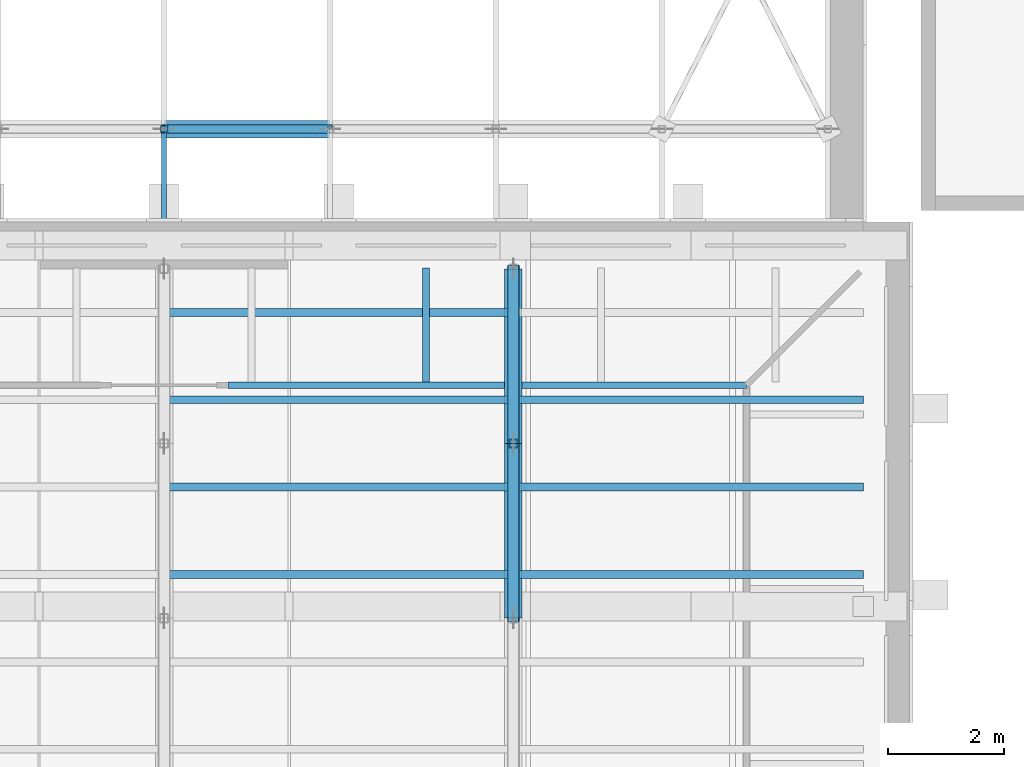
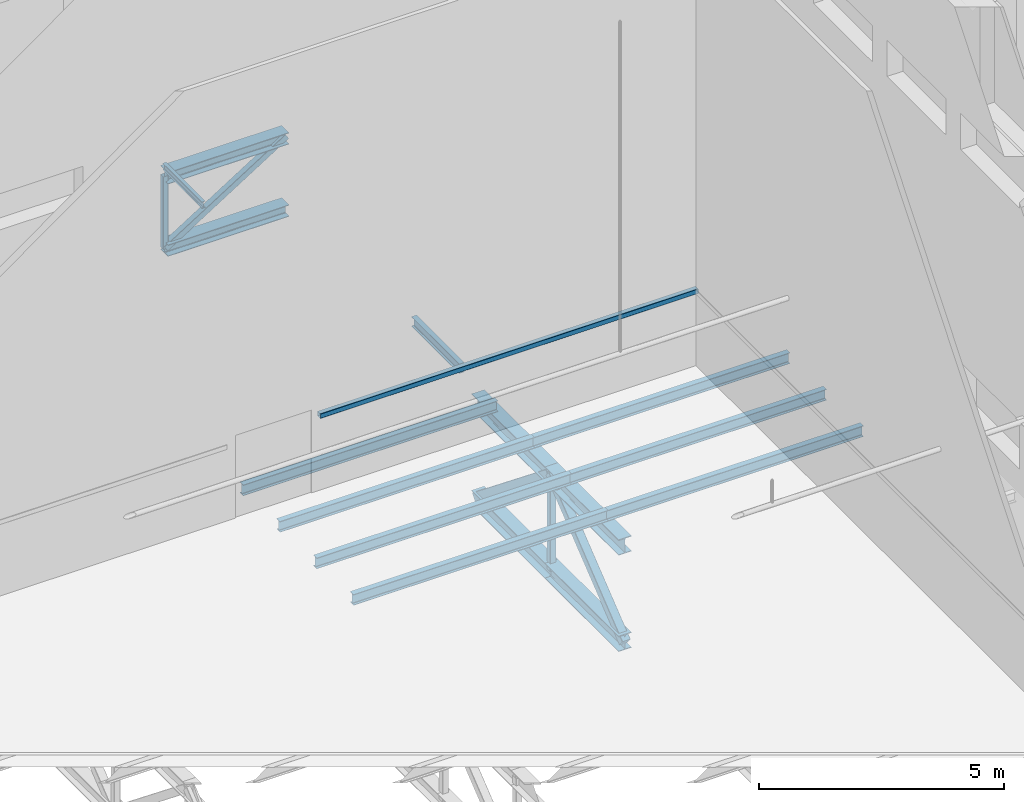
# One storey, part 35 of 55: 14 members, 7 beams.
"""IFC4 building model written with IfcOpenShell, lengths in metres."""

import ifcopenshell
import ifcopenshell.guid

model = None  # the IFC model being written
_history = None  # IfcOwnerHistory: only IFC2X3 demands one
_inside = {}  # id of a spatial element -> (the spatial element, [elements in it])
_under = {}  # id of a project, library or spatial element -> (it, [spatial elements below it])
_declared = {}  # id of a project -> (the project, [libraries it declares])
_typed = {}  # id of a type object -> (the type object, [elements of that type])
_made_of = {}  # id of a material, layer set ... -> (it, [elements and type objects made of it])


def new_model(schema):
    """Start an empty IFC model of exactly this schema.

    Asked for "IFC4X3", IfcOpenShell would pick the latest addendum, in which some entities
    have other attributes; the version numbers below select the first issue.
    IFC2X3 requires an IfcOwnerHistory on every rooted entity: one is made here for all.
    """
    global model, _history
    if schema == "IFC4X3":
        model = ifcopenshell.file(schema_version=(4, 3, 0, 0))
    else:
        model = ifcopenshell.file(schema=schema)
    _inside.clear()
    _under.clear()
    _declared.clear()
    _typed.clear()
    _made_of.clear()
    _history = None
    if model.schema == "IFC2X3":
        org = make("IfcOrganization", Name="unknown")
        user = make(
            "IfcPersonAndOrganization",
            ThePerson=make("IfcPerson", FamilyName="unknown"),
            TheOrganization=org,
        )
        app = make(
            "IfcApplication",
            ApplicationDeveloper=org,
            Version="unknown",
            ApplicationFullName="unknown",
            ApplicationIdentifier="unknown",
        )
        _history = make(
            "IfcOwnerHistory",
            OwningUser=user,
            OwningApplication=app,
            ChangeAction="ADDED",
            CreationDate=0,
        )
    return model


def make(cls, **values):
    """One entity of the class cls with the attributes given. An attribute that is None is left unset."""
    return model.create_entity(
        cls, **{name: value for name, value in values.items() if value is not None}
    )


def rooted(cls, **values):
    """An entity with a GlobalId (a new one), such as an element, a storey or a relation."""
    return make(cls, GlobalId=ifcopenshell.guid.new(), OwnerHistory=_history, **values)


def si_unit(unit_type, name, prefix=None):
    """IfcSIUnit, for example si_unit("LENGTHUNIT", "METRE", prefix="MILLI")."""
    return make("IfcSIUnit", UnitType=unit_type, Prefix=prefix, Name=name)


def assignment(units):
    """IfcUnitAssignment: the units of a project."""
    return None if units is None else make("IfcUnitAssignment", Units=units)


def point(xyz):
    """IfcCartesianPoint."""
    return None if xyz is None else make("IfcCartesianPoint", Coordinates=xyz)


def direction(xyz):
    """IfcDirection."""
    return None if xyz is None else make("IfcDirection", DirectionRatios=xyz)


def frame(location, z_axis=None, x_axis=None):
    """IfcAxis2Placement3D, a coordinate frame: its origin and axes. An axis left out is left unset."""
    return make(
        "IfcAxis2Placement3D",
        Location=point(location),
        Axis=direction(z_axis),
        RefDirection=direction(x_axis),
    )


def frame_2d(location, x_axis=None):
    """IfcAxis2Placement2D, a coordinate frame in the plane: its origin and x axis."""
    return make(
        "IfcAxis2Placement2D", Location=point(location), RefDirection=direction(x_axis)
    )


def origin():
    """The frame at (0, 0, 0) with its axes left unset."""
    return frame((0.0, 0.0, 0.0))


def origin_2d():
    """The frame at (0, 0) in the plane with its x axis left unset."""
    return frame_2d((0.0, 0.0))


def place(relative_to, where):
    """IfcLocalPlacement: puts the frame where relative to a parent placement (None: the world)."""
    return make(
        "IfcLocalPlacement", PlacementRelTo=relative_to, RelativePlacement=where
    )


def context(
    kind, dimensions, precision=None, world=None, true_north=None, identifier=None
):
    """IfcGeometricRepresentationContext, for example the 3D "Model" context."""
    return make(
        "IfcGeometricRepresentationContext",
        ContextIdentifier=identifier,
        ContextType=kind,
        CoordinateSpaceDimension=dimensions,
        Precision=precision,
        WorldCoordinateSystem=world,
        TrueNorth=true_north,
    )


def subcontext(parent, identifier, kind, view, scale=None):
    """IfcGeometricRepresentationSubContext, for example "Body" below "Model"."""
    return make(
        "IfcGeometricRepresentationSubContext",
        ContextIdentifier=identifier,
        ContextType=kind,
        ParentContext=parent,
        TargetScale=scale,
        TargetView=view,
    )


def project(units=None, contexts=None):
    """IfcProject with its units and contexts."""
    return rooted(
        "IfcProject",
        Name="project",
        RepresentationContexts=contexts,
        UnitsInContext=assignment(units),
    )


def spatial(cls, under=None, at=None, **own):
    """A site, building, storey or space (cls), placed at a placement, below another one or the project."""
    s = rooted(cls, ObjectPlacement=at, **own)
    if under is not None:
        _under.setdefault(under.id(), (under, []))[1].append(s)
    return s


def profile(cls, at=None, kind="AREA", **sizes):
    """A parametric profile (cls). Its sizes go by their IFC names, for example OverallWidth=200.0."""
    return make(cls, ProfileType=kind, Position=at, **sizes)


def hollow_rectangle(**sizes):
    """IfcRectangleHollowProfileDef."""
    return profile("IfcRectangleHollowProfileDef", **sizes)


def i_section(**sizes):
    """IfcIShapeProfileDef."""
    return profile("IfcIShapeProfileDef", **sizes)


def extrude(swept, where, along, depth):
    """IfcExtrudedAreaSolid: the profile swept, set in the frame where, extruded along a direction by depth."""
    return make(
        "IfcExtrudedAreaSolid",
        SweptArea=swept,
        Position=where,
        ExtrudedDirection=direction(along),
        Depth=depth,
    )


def shape(context_of_items, identifier, shape_type, items):
    """IfcShapeRepresentation: the items that make up one representation, for example the "Body"."""
    return make(
        "IfcShapeRepresentation",
        ContextOfItems=context_of_items,
        RepresentationIdentifier=identifier,
        RepresentationType=shape_type,
        Items=items,
    )


def material(Name=None, Category=None):
    """IfcMaterial."""
    return make("IfcMaterial", Name=Name, Category=Category)


def material_profile(
    of_material, cross_section, Name=None, Category=None, Priority=None
):
    """IfcMaterialProfile: a cross section and its material."""
    return make(
        "IfcMaterialProfile",
        Name=Name,
        Material=of_material,
        Profile=cross_section,
        Priority=Priority,
        Category=Category,
    )


def profile_set(profiles, Name=None, composite=None):
    """IfcMaterialProfileSet."""
    return make(
        "IfcMaterialProfileSet",
        Name=Name,
        MaterialProfiles=profiles,
        CompositeProfile=composite,
    )


def made_of(thing, what):
    """Note that an element or type object is made of a material, layer set ...; save() writes the relation."""
    if what is not None:
        _made_of.setdefault(what.id(), (what, []))[1].append(thing)
    return thing


def type_object(cls, material=None, **own):
    """A type object (cls), such as IfcWallType, which elements share."""
    return made_of(rooted(cls, **own), material)


def element(
    cls,
    number,
    at=None,
    inside=None,
    cuts=None,
    type_object=None,
    material=None,
    context=None,
    identifier="Body",
    shape_type=None,
    held_by="IfcProductDefinitionShape",
    body=None,
    shapes=None,
    **own,
):
    """One element of the class cls, such as IfcWall. Its Tag is "e" and its number.

    at: its placement. inside: the storey or other place that contains it. cuts: it is an
    opening in that element (IfcRelVoidsElement). A single representation is given by context,
    identifier, shape_type and body (its items); several are given by shapes. held_by: the class
    of the entity that holds the representations. save() writes the other relations.
    """
    e = rooted(cls, Tag="e%d" % number, ObjectPlacement=at, **own)
    if body is not None:
        shapes = [shape(context, identifier, shape_type, body)]
    if shapes is not None:
        e.Representation = make(held_by, Representations=shapes)
    if inside is not None:
        _inside.setdefault(inside.id(), (inside, []))[1].append(e)
    if cuts is not None:
        rooted(
            "IfcRelVoidsElement", RelatingBuildingElement=cuts, RelatedOpeningElement=e
        )
    if type_object is not None:
        _typed.setdefault(type_object.id(), (type_object, []))[1].append(e)
    return made_of(e, material)


def aggregate(whole, parts):
    """IfcRelAggregates: a whole, such as a stair, and the parts it consists of."""
    return rooted("IfcRelAggregates", RelatingObject=whole, RelatedObjects=parts)


def save(model, path):
    """Write the relations noted so far, then the file.

    IfcRelAggregates (storeys below a building ...), IfcRelContainedInSpatialStructure (elements
    in a storey), IfcRelDefinesByType, IfcRelAssociatesMaterial and IfcRelDeclares: one each for
    every whole, place, type object, material and project.
    """
    for whole, parts in _under.values():
        aggregate(whole, parts)
    for where, things in _inside.values():
        rooted(
            "IfcRelContainedInSpatialStructure",
            RelatedElements=things,
            RelatingStructure=where,
        )
    for kind, things in _typed.values():
        rooted("IfcRelDefinesByType", RelatedObjects=things, RelatingType=kind)
    for what, things in _made_of.values():
        rooted("IfcRelAssociatesMaterial", RelatedObjects=things, RelatingMaterial=what)
    for by, libraries in _declared.values():
        rooted("IfcRelDeclares", RelatingContext=by, RelatedDefinitions=libraries)
    model.write(path)


model = new_model("IFC4")

# Units and contexts
model_context = context("Model", 3, precision=1e-05, world=origin(), true_north=direction((0.0, 1.0)))
body_context = subcontext(model_context, "Body", "Model", "MODEL_VIEW")
ifc_project = project(units=[si_unit("LENGTHUNIT", "METRE"), si_unit("AREAUNIT", "SQUARE_METRE"), si_unit("VOLUMEUNIT", "CUBIC_METRE"), si_unit("PLANEANGLEUNIT", "RADIAN"), si_unit("MASSUNIT", "GRAM", prefix="KILO")], contexts=[model_context])

# Site, building, storey
site_placement = place(None, origin())
site = spatial("IfcSite", under=ifc_project, at=site_placement, CompositionType="ELEMENT")
building_placement = place(site_placement, origin())
building = spatial("IfcBuilding", under=site, at=building_placement, Name="Lunette Opera House", CompositionType="ELEMENT")
storey_placement = place(building_placement, frame((0.0, 0.0, 34.0)))
storey = spatial("IfcBuildingStorey", under=building, at=storey_placement, Name="L06", CompositionType="ELEMENT", Elevation=34.0)

# Members
ifc_material_1 = material(Name="Steel S355", Category="steel")
ifc_material_profile_1 = material_profile(ifc_material_1, i_section(OverallWidth=0.1201171875, OverallDepth=0.239990234375, WebThickness=0.006103515625, FlangeThickness=0.009765625, FilletRadius=0.014892578125, at=origin_2d()), Name="IPE 240")
ifc_profile_set_1 = profile_set([ifc_material_profile_1], Name="Steel S355")
member_type_1 = type_object("IfcMemberType", Name="BRACKET IPE 240", PredefinedType="MEMBER", material=ifc_profile_set_1)
member_1_placement = place(storey_placement, frame((100.5, 120.010009765625, 1.820068359375), z_axis=(0.0, -1.0, 0.0), x_axis=(1.0, 0.0, 0.0)))
element("IfcMember", 1, at=member_1_placement, inside=storey, type_object=member_type_1, Name="mem-ST-L06-LOFT-BKN1005-1200", PredefinedType="MEMBER", context=body_context, shape_type="SweptSolid", body=[
    extrude(i_section(OverallWidth=0.1201171875, OverallDepth=0.239990234375, WebThickness=0.006103515625, FlangeThickness=0.009765625, FilletRadius=0.014892578125, at=origin_2d()), origin(), (0.0, 0.0, 1.0), 1.949951171875),
])
ifc_material_2 = material(Name="Steel S355", Category="steel")
ifc_material_profile_2 = material_profile(ifc_material_2, i_section(OverallWidth=0.300048828125, OverallDepth=0.2900390625, WebThickness=0.008544921875, FlangeThickness=0.013916015625, FilletRadius=0.027099609375, at=origin_2d()), Name="HEA 300")
ifc_profile_set_2 = profile_set([ifc_material_profile_2], Name="Steel S355")
member_type_2 = type_object("IfcMemberType", Name="CHORD HEA 300", PredefinedType="CHORD", material=ifc_profile_set_2)
for number, where, z_axis, x_axis, name in (
    (2, (96.0, 122.39990234375, 5.574951171875), (1.0, 0.0, 0.0), (0.0, 1.0, 0.0), "mem-ST-L06-SR-TR01-TC5"),
    (3, (96.0, 122.39990234375, 3.77490234375), (1.0, 0.0, 0.0), (0.0, 1.0, 0.0), "mem-ST-L06-SR-TR01-BC5"),
):
    element("IfcMember", number, at=place(storey_placement, frame(where, z_axis=z_axis, x_axis=x_axis)), inside=storey, type_object=member_type_2, Name=name, PredefinedType="CHORD", context=body_context, shape_type="SweptSolid", body=[
        extrude(i_section(OverallWidth=0.300048828125, OverallDepth=0.2900390625, WebThickness=0.008544921875, FlangeThickness=0.013916015625, FilletRadius=0.027099609375, at=origin_2d()), origin(), (0.0, 0.0, 1.0), 2.85009765625),
    ])
ifc_material_3 = material(Name="Steel S355", Category="steel")
ifc_material_profile_3 = material_profile(ifc_material_3, i_section(OverallWidth=0.300048828125, OverallDepth=0.389892578125, WebThickness=0.010986328125, FlangeThickness=0.01904296875, FilletRadius=0.027099609375, at=origin_2d()), Name="HEA 400")
ifc_profile_set_3 = profile_set([ifc_material_profile_3], Name="Steel S355")
member_type_3 = type_object("IfcMemberType", Name="CHORD HEA 400", PredefinedType="CHORD", material=ifc_profile_set_3)
for number, where, z_axis, x_axis, name in (
    (4, (102.0, 114.0, -0.6650390625), (0.0, 1.0, 0.0), (-1.0, 0.0, 0.0), "mem-ST-L06-ST-TR03-TC7"),
    (5, (102.0, 114.0, -3.06494140625), (0.0, 1.0, 0.0), (-1.0, 0.0, 0.0), "mem-ST-L06-ST-TR03-BC7"),
    (6, (102.0, 117.0, -0.6650390625), (0.0, 1.0, 0.0), (-1.0, 0.0, 0.0), "mem-ST-L06-ST-TR03-TC8"),
    (7, (102.0, 117.0, -3.06494140625), (0.0, 1.0, 0.0), (-1.0, 0.0, 0.0), "mem-ST-L06-ST-TR03-BC8"),
):
    element("IfcMember", number, at=place(storey_placement, frame(where, z_axis=z_axis, x_axis=x_axis)), inside=storey, type_object=member_type_3, Name=name, PredefinedType="CHORD", context=body_context, shape_type="SweptSolid", body=[
        extrude(i_section(OverallWidth=0.300048828125, OverallDepth=0.389892578125, WebThickness=0.010986328125, FlangeThickness=0.01904296875, FilletRadius=0.027099609375, at=origin_2d()), origin(), (0.0, 0.0, 1.0), 3.0),
    ])
ifc_material_4 = material(Name="Steel S355", Category="steel")
ifc_material_profile_4 = material_profile(ifc_material_4, hollow_rectangle(XDim=0.14990234375, YDim=0.14990234375, WallThickness=0.006103515625, InnerFilletRadius=0.006103515625, OuterFilletRadius=0.011962890625, at=origin_2d()), Name="RHS 150X150X6")
ifc_profile_set_4 = profile_set([ifc_material_profile_4], Name="Steel S355")
member_type_4 = type_object("IfcMemberType", Name="DIAGONAL RHS 150X150X6", PredefinedType="BRACE", material=ifc_profile_set_4)
member_2_placement = place(storey_placement, frame((96.0, 122.39990234375, 3.77490234375), z_axis=(0.845490624019, 0.0, 0.53399026648), x_axis=(0.0, 1.0, 0.0)))
element("IfcMember", 8, at=member_2_placement, inside=storey, type_object=member_type_4, Name="mem-ST-L06-SR-TR01-TD5", PredefinedType="BRACE", context=body_context, shape_type="SweptSolid", body=[
    extrude(hollow_rectangle(XDim=0.14990234375, YDim=0.14990234375, WallThickness=0.006103515625, InnerFilletRadius=0.006103515625, OuterFilletRadius=0.011962890625, at=origin_2d()), origin(), (0.0, 0.0, 1.0), 3.370849609375),
])
ifc_material_5 = material(Name="Steel S355", Category="steel")
ifc_material_profile_5 = material_profile(ifc_material_5, hollow_rectangle(XDim=0.199951171875, YDim=0.199951171875, WallThickness=0.008056640625, InnerFilletRadius=0.008056640625, OuterFilletRadius=0.01611328125, at=origin_2d()), Name="RHS 200X200X8")
ifc_profile_set_5 = profile_set([ifc_material_profile_5], Name="Steel S355")
member_type_5 = type_object("IfcMemberType", Name="DIAGONAL RHS 200X200X8", PredefinedType="BRACE", material=ifc_profile_set_5)
for number, where, z_axis, x_axis, name in (
    (9, (102.0, 114.0, -3.06494140625), (0.0, 0.780881208953, 0.624679547852), (-1.0, 0.0, 0.0), "mem-ST-L06-ST-TR03-TD7"),
    (10, (102.0, 117.0, -0.6650390625), (0.0, 0.780881208953, -0.624679547852), (-1.0, 0.0, 0.0), "mem-ST-L06-ST-TR03-TD8"),
):
    element("IfcMember", number, at=place(storey_placement, frame(where, z_axis=z_axis, x_axis=x_axis)), inside=storey, type_object=member_type_5, Name=name, PredefinedType="BRACE", context=body_context, shape_type="SweptSolid", body=[
        extrude(hollow_rectangle(XDim=0.199951171875, YDim=0.199951171875, WallThickness=0.008056640625, InnerFilletRadius=0.008056640625, OuterFilletRadius=0.01611328125, at=origin_2d()), origin(), (0.0, 0.0, 1.0), 3.841796875),
    ])
ifc_material_6 = material(Name="Steel S355", Category="steel")
ifc_material_profile_6 = material_profile(ifc_material_6, hollow_rectangle(XDim=0.1201171875, YDim=0.1201171875, WallThickness=0.006103515625, InnerFilletRadius=0.006103515625, OuterFilletRadius=0.011962890625, at=origin_2d()), Name="RHS 120X120X6")
ifc_profile_set_6 = profile_set([ifc_material_profile_6], Name="Steel S355")
member_type_6 = type_object("IfcMemberType", Name="EDGE RHS 120X120X6", PredefinedType="MEMBER", material=ifc_profile_set_6)
member_3_placement = place(storey_placement, frame((97.10009765625, 118.0, 1.8798828125), z_axis=(1.0, 0.0, 0.0), x_axis=(0.0, 1.0, 0.0)))
element("IfcMember", 11, at=member_3_placement, inside=storey, type_object=member_type_6, Name="mem-ST-L06-LOFT-EDN2", PredefinedType="MEMBER", context=body_context, shape_type="SweptSolid", body=[
    extrude(hollow_rectangle(XDim=0.1201171875, YDim=0.1201171875, WallThickness=0.006103515625, InnerFilletRadius=0.006103515625, OuterFilletRadius=0.011962890625, at=origin_2d()), origin(), (0.0, 0.0, 1.0), 8.89990234375),
])
ifc_material_7 = material(Name="Steel S355", Category="steel")
ifc_material_profile_7 = material_profile(ifc_material_7, i_section(OverallWidth=0.08203125, OverallDepth=0.159912109375, WebThickness=0.0048828125, FlangeThickness=0.00732421875, FilletRadius=0.009033203125, at=origin_2d()), Name="IPE 160")
ifc_profile_set_7 = profile_set([ifc_material_profile_7], Name="Steel S355")
member_type_7 = type_object("IfcMemberType", Name="PURLIN IPE 160", PredefinedType="PURLIN", material=ifc_profile_set_7)
member_4_placement = place(storey_placement, frame((96.0, 120.800048828125, 5.800048828125), z_axis=(0.0, 1.0, 0.0), x_axis=(-1.0, 0.0, 0.0)))
element("IfcMember", 12, at=member_4_placement, inside=storey, type_object=member_type_7, Name="mem-ST-L06-SR-TR-PU5-1", PredefinedType="PURLIN", context=body_context, shape_type="SweptSolid", body=[
    extrude(i_section(OverallWidth=0.08203125, OverallDepth=0.159912109375, WebThickness=0.0048828125, FlangeThickness=0.00732421875, FilletRadius=0.009033203125, at=origin_2d()), origin(), (0.0, 0.0, 1.0), 1.599853515625),
])

# Beams
ifc_material_8 = material(Name="Steel S355", Category="steel")
ifc_material_profile_8 = material_profile(ifc_material_8, i_section(OverallWidth=0.135009765625, OverallDepth=0.27001953125, WebThickness=0.006591796875, FlangeThickness=0.01025390625, FilletRadius=0.014892578125, at=origin_2d()), Name="IPE 270")
ifc_profile_set_8 = profile_set([ifc_material_profile_8], Name="Steel S355")
beam_type = type_object("IfcBeamType", Name="STEEL BEAM IPE 270", PredefinedType="BEAM", material=ifc_profile_set_8)
beam_1_placement = place(storey_placement, frame((96.0, 114.75, -0.3349609375), z_axis=(1.0, 0.0, 0.0), x_axis=(0.0, 1.0, 0.0)))
element("IfcBeam", 13, at=beam_1_placement, inside=storey, type_object=beam_type, Name="beam-ST-L06-GRID-11475-3", PredefinedType="BEAM", context=body_context, shape_type="SweptSolid", body=[
    extrude(i_section(OverallWidth=0.135009765625, OverallDepth=0.27001953125, WebThickness=0.006591796875, FlangeThickness=0.01025390625, FilletRadius=0.014892578125, at=origin_2d()), origin(), (0.0, 0.0, 1.0), 6.0),
])
beam_2_placement = place(storey_placement, frame((102.0, 114.75, -0.3349609375), z_axis=(1.0, 0.0, 0.0), x_axis=(0.0, 1.0, 0.0)))
element("IfcBeam", 14, at=beam_2_placement, inside=storey, type_object=beam_type, Name="beam-ST-L06-GRID-11475-4", PredefinedType="BEAM", context=body_context, shape_type="SweptSolid", body=[
    extrude(i_section(OverallWidth=0.135009765625, OverallDepth=0.27001953125, WebThickness=0.006591796875, FlangeThickness=0.01025390625, FilletRadius=0.014892578125, at=origin_2d()), origin(), (0.0, 0.0, 1.0), 6.010009765625),
])
beam_3_placement = place(storey_placement, frame((96.0, 116.25, -0.3349609375), z_axis=(1.0, 0.0, 0.0), x_axis=(0.0, 1.0, 0.0)))
element("IfcBeam", 15, at=beam_3_placement, inside=storey, type_object=beam_type, Name="beam-ST-L06-GRID-11625-3", PredefinedType="BEAM", context=body_context, shape_type="SweptSolid", body=[
    extrude(i_section(OverallWidth=0.135009765625, OverallDepth=0.27001953125, WebThickness=0.006591796875, FlangeThickness=0.01025390625, FilletRadius=0.014892578125, at=origin_2d()), origin(), (0.0, 0.0, 1.0), 6.0),
])
beam_4_placement = place(storey_placement, frame((102.0, 116.25, -0.3349609375), z_axis=(1.0, 0.0, 0.0), x_axis=(0.0, 1.0, 0.0)))
element("IfcBeam", 16, at=beam_4_placement, inside=storey, type_object=beam_type, Name="beam-ST-L06-GRID-11625-4", PredefinedType="BEAM", context=body_context, shape_type="SweptSolid", body=[
    extrude(i_section(OverallWidth=0.135009765625, OverallDepth=0.27001953125, WebThickness=0.006591796875, FlangeThickness=0.01025390625, FilletRadius=0.014892578125, at=origin_2d()), origin(), (0.0, 0.0, 1.0), 6.010009765625),
])
beam_5_placement = place(storey_placement, frame((96.0, 117.75, -0.3349609375), z_axis=(1.0, 0.0, 0.0), x_axis=(0.0, 1.0, 0.0)))
element("IfcBeam", 17, at=beam_5_placement, inside=storey, type_object=beam_type, Name="beam-ST-L06-GRID-11775-3", PredefinedType="BEAM", context=body_context, shape_type="SweptSolid", body=[
    extrude(i_section(OverallWidth=0.135009765625, OverallDepth=0.27001953125, WebThickness=0.006591796875, FlangeThickness=0.01025390625, FilletRadius=0.014892578125, at=origin_2d()), origin(), (0.0, 0.0, 1.0), 6.0),
])
beam_6_placement = place(storey_placement, frame((102.0, 117.75, -0.3349609375), z_axis=(1.0, 0.0, 0.0), x_axis=(0.0, 1.0, 0.0)))
element("IfcBeam", 18, at=beam_6_placement, inside=storey, type_object=beam_type, Name="beam-ST-L06-GRID-11775-4", PredefinedType="BEAM", context=body_context, shape_type="SweptSolid", body=[
    extrude(i_section(OverallWidth=0.135009765625, OverallDepth=0.27001953125, WebThickness=0.006591796875, FlangeThickness=0.01025390625, FilletRadius=0.014892578125, at=origin_2d()), origin(), (0.0, 0.0, 1.0), 6.010009765625),
])
beam_7_placement = place(storey_placement, frame((96.0, 119.25, -0.3349609375), z_axis=(1.0, 0.0, 0.0), x_axis=(0.0, 1.0, 0.0)))
element("IfcBeam", 19, at=beam_7_placement, inside=storey, type_object=beam_type, Name="beam-ST-L06-GRID-11925-3", PredefinedType="BEAM", context=body_context, shape_type="SweptSolid", body=[
    extrude(i_section(OverallWidth=0.135009765625, OverallDepth=0.27001953125, WebThickness=0.006591796875, FlangeThickness=0.01025390625, FilletRadius=0.014892578125, at=origin_2d()), origin(), (0.0, 0.0, 1.0), 6.0),
])

# Members
ifc_material_9 = material(Name="Steel S355", Category="steel")
ifc_material_profile_9 = material_profile(ifc_material_9, hollow_rectangle(XDim=0.1201171875, YDim=0.1201171875, WallThickness=0.0048828125, InnerFilletRadius=0.0048828125, OuterFilletRadius=0.010009765625, at=origin_2d()), Name="RHS 120X120X5")
ifc_profile_set_9 = profile_set([ifc_material_profile_9], Name="Steel S355")
member_type_8 = type_object("IfcMemberType", Name="VERTICAL RHS 120X120X5", PredefinedType="POST", material=ifc_profile_set_9)
member_5_placement = place(storey_placement, frame((96.0, 122.39990234375, 3.77490234375), z_axis=(0.0, 0.0, 1.0), x_axis=(1.0, 0.0, 0.0)))
element("IfcMember", 20, at=member_5_placement, inside=storey, type_object=member_type_8, Name="mem-ST-L06-SR-TR01-TV5", PredefinedType="POST", context=body_context, shape_type="SweptSolid", body=[
    extrude(hollow_rectangle(XDim=0.1201171875, YDim=0.1201171875, WallThickness=0.0048828125, InnerFilletRadius=0.0048828125, OuterFilletRadius=0.010009765625, at=origin_2d()), origin(), (0.0, 0.0, 1.0), 1.800048828125),
])
ifc_material_10 = material(Name="Steel S355", Category="steel")
ifc_material_profile_10 = material_profile(ifc_material_10, hollow_rectangle(XDim=0.14990234375, YDim=0.14990234375, WallThickness=0.008056640625, InnerFilletRadius=0.008056640625, OuterFilletRadius=0.01611328125, at=origin_2d()), Name="RHS 150X150X8")
ifc_profile_set_10 = profile_set([ifc_material_profile_10], Name="Steel S355")
member_type_9 = type_object("IfcMemberType", Name="VERTICAL RHS 150X150X8", PredefinedType="POST", material=ifc_profile_set_10)
member_6_placement = place(storey_placement, frame((102.0, 117.0, -3.06494140625), z_axis=(0.0, 0.0, 1.0), x_axis=(1.0, 0.0, 0.0)))
element("IfcMember", 21, at=member_6_placement, inside=storey, type_object=member_type_9, Name="mem-ST-L06-ST-TR03-TV8", PredefinedType="POST", context=body_context, shape_type="SweptSolid", body=[
    extrude(hollow_rectangle(XDim=0.14990234375, YDim=0.14990234375, WallThickness=0.008056640625, InnerFilletRadius=0.008056640625, OuterFilletRadius=0.01611328125, at=origin_2d()), origin(), (0.0, 0.0, 1.0), 2.39990234375),
])

save(model, "model.ifc")
